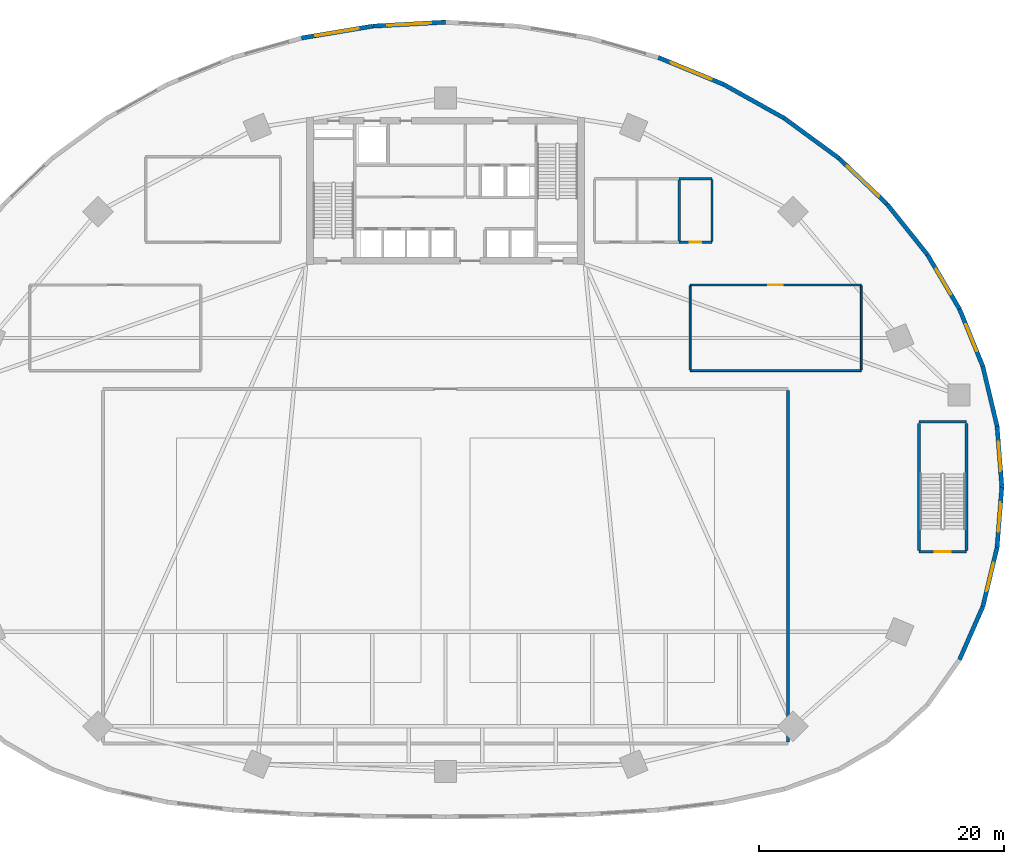
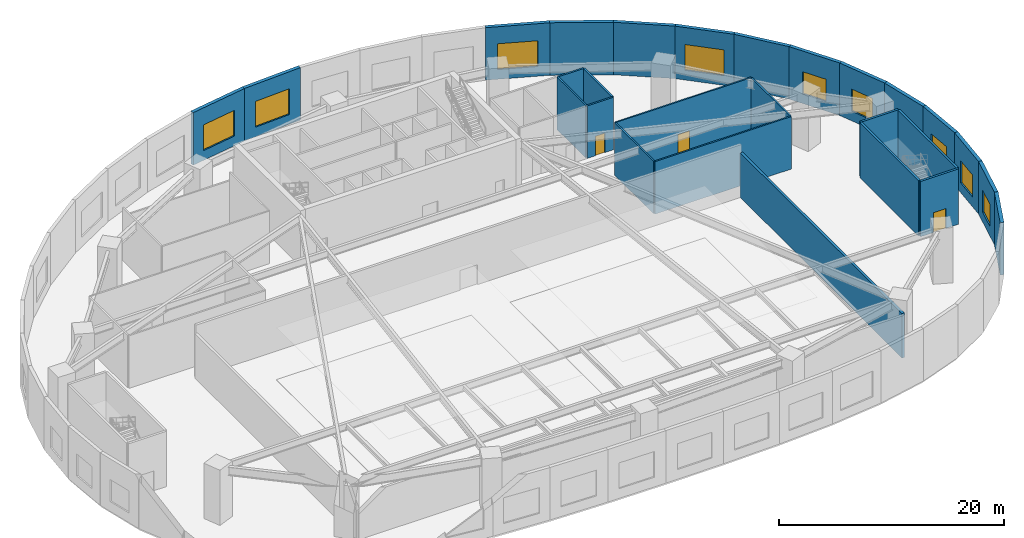
# One storey, part 5 of 10: 27 walls, 9 windows, 3 doors, 12 openings.
"""IFC4 building model written with IfcOpenShell, lengths in metres."""

from ifc_helpers import new_model, si_unit, direction, frame, frame_2d, origin, place, context, subcontext, project, spatial, rectangle, extrude, source, transform, mapped, material, layer, layer_set, type_object, type_shapes, element, fill, save


model = new_model("IFC4")

# Units and contexts
model_context = context("Model", 3, precision=1e-05, world=origin(), true_north=direction((0.0, 1.0)))
body_context = subcontext(model_context, "Body", "Model", "MODEL_VIEW")
ifc_project = project(units=[si_unit("LENGTHUNIT", "METRE"), si_unit("AREAUNIT", "SQUARE_METRE"), si_unit("VOLUMEUNIT", "CUBIC_METRE"), si_unit("PLANEANGLEUNIT", "RADIAN"), si_unit("MASSUNIT", "GRAM", prefix="KILO")], contexts=[model_context])

# Site, building, storey
site_placement = place(None, origin())
site = spatial("IfcSite", under=ifc_project, at=site_placement, CompositionType="ELEMENT")
building_placement = place(site_placement, origin())
building = spatial("IfcBuilding", under=site, at=building_placement, Name="Breltana Convention Tower", CompositionType="ELEMENT")
storey_placement = place(building_placement, frame((0.0, 0.0, 6.0)))
storey = spatial("IfcBuildingStorey", under=building, at=storey_placement, Name="L01", CompositionType="ELEMENT", Elevation=6.0)

# Wall, opening, window
ifc_material_1 = material(Name="Limestone Buff Insulated Wall", Category="masonry")
ifc_layer_1 = layer(ifc_material_1, 0.35009765625, Name="Limestone Buff Insulated Wall")
ifc_layer_set_1 = layer_set([ifc_layer_1], Name="Limestone Buff Insulated Wall")
wall_type_1 = type_object("IfcWallType", Name="WL-EXT-POD-350", PredefinedType="SOLIDWALL", material=ifc_layer_set_1)
shared_shape_1 = source(origin(), body_context, "Body", "SweptSolid", [
    extrude(rectangle(XDim=4.975341796875, YDim=0.35009765625, at=frame_2d((2.48779296875, 0.0))), origin(), (0.0, 0.0, 1.0), 5.699951171875),
])
type_shapes(wall_type_1, [shared_shape_1])
wall_1_placement = place(storey_placement, frame((93.5, 42.0, 0.0), z_axis=(0.0, 0.0, 1.0), x_axis=(-0.07826870534, 0.996932299489, 0.0)))
wall_1 = element("IfcWall", 1, at=wall_1_placement, inside=storey, type_object=wall_type_1, Name="L01 limestone facade wall 1", PredefinedType="SOLIDWALL", context=body_context, shape_type="MappedRepresentation", body=[
    mapped(shared_shape_1, transform((0.0, 0.0, 0.0), scale=1.0)),
])
opening_1_placement = place(wall_1_placement, frame((1.28759765625, 0.0, 1.050048828125)))
opening_1 = element("IfcOpeningElement", 2, at=opening_1_placement, cuts=wall_1, Name="Opening W-02", PredefinedType="OPENING", context=body_context, shape_type="SweptSolid", body=[
    extrude(rectangle(XDim=2.39990234375, YDim=2.39990234375, at=frame_2d((1.199951171875, 1.199951171875))), frame((0.0, 0.18505859375, 0.0), z_axis=(0.0, -1.0, 0.0), x_axis=(1.0, 0.0, 0.0)), (0.0, 0.0, 1.0), 0.3701171875),
])
ifc_material_2 = material(Name="Glass Low-E Insulated Window", Category="glass")
window_type_1 = type_object("IfcWindowType", Name="WN-POD-2400X2400", PartitioningType="DOUBLE_PANEL_VERTICAL", PredefinedType="WINDOW", material=ifc_material_2)
shared_shape_2 = source(origin(), body_context, "Body", "SweptSolid", [
    extrude(rectangle(XDim=2.39990234375, YDim=2.39990234375, at=frame_2d((1.199951171875, 1.199951171875))), frame((0.0, 0.030029296875, 0.0), z_axis=(0.0, -1.0, 0.0), x_axis=(1.0, 0.0, 0.0)), (0.0, 0.0, 1.0), 0.06005859375),
])
type_shapes(window_type_1, [shared_shape_2])
window_1_placement = place(opening_1_placement, origin())
window_1 = element("IfcWindow", 3, at=window_1_placement, inside=storey, type_object=window_type_1, Name="L01 tripartite window 1.1", OverallHeight=2.39990234375, OverallWidth=2.39990234375, PartitioningType="DOUBLE_PANEL_VERTICAL", PredefinedType="WINDOW", context=body_context, shape_type="MappedRepresentation", body=[
    mapped(shared_shape_2, transform((0.0, 0.0, 0.0), scale=1.0)),
])
fill(opening_1, window_1)

wall_2_placement = place(storey_placement, frame((93.110595703125, 37.0400390625, 0.0), z_axis=(0.0, 0.0, 1.0), x_axis=(0.07826870534, 0.996932299489, 0.0)))
wall_2 = element("IfcWall", 4, at=wall_2_placement, inside=storey, type_object=wall_type_1, Name="L01 limestone facade wall 48", PredefinedType="SOLIDWALL", context=body_context, shape_type="MappedRepresentation", body=[
    mapped(shared_shape_1, transform((0.0, 0.0, 0.0), scale=1.0)),
])
opening_2_placement = place(wall_2_placement, frame((1.28759765625, 0.0, 1.050048828125)))
opening_2 = element("IfcOpeningElement", 5, at=opening_2_placement, cuts=wall_2, Name="Opening W-02", PredefinedType="OPENING", context=body_context, shape_type="SweptSolid", body=[
    extrude(rectangle(XDim=2.39990234375, YDim=2.39990234375, at=frame_2d((1.199951171875, 1.199951171875))), frame((0.0, 0.18505859375, 0.0), z_axis=(0.0, -1.0, 0.0), x_axis=(1.0, 0.0, 0.0)), (0.0, 0.0, 1.0), 0.3701171875),
])
window_2_placement = place(opening_2_placement, origin())
window_2 = element("IfcWindow", 6, at=window_2_placement, inside=storey, type_object=window_type_1, Name="L01 tripartite window 48.1", OverallHeight=2.39990234375, OverallWidth=2.39990234375, PartitioningType="DOUBLE_PANEL_VERTICAL", PredefinedType="WINDOW", context=body_context, shape_type="MappedRepresentation", body=[
    mapped(shared_shape_2, transform((0.0, 0.0, 0.0), scale=1.0)),
])
fill(opening_2, window_2)

# Wall
shared_shape_3 = source(origin(), body_context, "Body", "SweptSolid", [
    extrude(rectangle(XDim=5.011474609375, YDim=0.35009765625, at=frame_2d((2.505859375, 0.0))), origin(), (0.0, 0.0, 1.0), 5.699951171875),
])
wall_3_placement = place(storey_placement, frame((93.110595703125, 46.9599609375, 0.0), z_axis=(0.0, 0.0, 1.0), x_axis=(-0.23164248061, 0.972800987446, 0.0)))
element("IfcWall", 7, at=wall_3_placement, inside=storey, type_object=wall_type_1, Name="L01 limestone facade wall 2", PredefinedType="SOLIDWALL", context=body_context, shape_type="MappedRepresentation", body=[
    mapped(shared_shape_3, transform((0.0, 0.0, 0.0), scale=1.0)),
])

# Wall, opening, window
shared_shape_4 = source(origin(), body_context, "Body", "SweptSolid", [
    extrude(rectangle(XDim=5.080810546875, YDim=0.35009765625, at=frame_2d((2.54052734375, 0.0))), origin(), (0.0, 0.0, 1.0), 5.699951171875),
])
wall_4_placement = place(storey_placement, frame((91.94970703125, 51.835205078125, 0.0), z_axis=(0.0, 0.0, 1.0), x_axis=(-0.376538155573, 0.926401110425, 0.0)))
wall_4 = element("IfcWall", 8, at=wall_4_placement, inside=storey, type_object=wall_type_1, Name="L01 limestone facade wall 3", PredefinedType="SOLIDWALL", context=body_context, shape_type="MappedRepresentation", body=[
    mapped(shared_shape_4, transform((0.0, 0.0, 0.0), scale=1.0)),
])
opening_3_placement = place(wall_4_placement, frame((1.34033203125, 0.0, 1.050048828125)))
opening_3 = element("IfcOpeningElement", 9, at=opening_3_placement, cuts=wall_4, Name="Opening W-02", PredefinedType="OPENING", context=body_context, shape_type="SweptSolid", body=[
    extrude(rectangle(XDim=2.39990234375, YDim=2.39990234375, at=frame_2d((1.199951171875, 1.199951171875))), frame((0.0, 0.18505859375, 0.0), z_axis=(0.0, -1.0, 0.0), x_axis=(1.0, 0.0, 0.0)), (0.0, 0.0, 1.0), 0.3701171875),
])
window_3_placement = place(opening_3_placement, origin())
window_3 = element("IfcWindow", 10, at=window_3_placement, inside=storey, type_object=window_type_1, Name="L01 tripartite window 3.1", OverallHeight=2.39990234375, OverallWidth=2.39990234375, PartitioningType="DOUBLE_PANEL_VERTICAL", PredefinedType="WINDOW", context=body_context, shape_type="MappedRepresentation", body=[
    mapped(shared_shape_2, transform((0.0, 0.0, 0.0), scale=1.0)),
])
fill(opening_3, window_3)

shared_shape_5 = source(origin(), body_context, "Body", "SweptSolid", [
    extrude(rectangle(XDim=5.17724609375, YDim=0.35009765625, at=frame_2d((2.588623046875, 0.0))), origin(), (0.0, 0.0, 1.0), 5.699951171875),
])
wall_5_placement = place(storey_placement, frame((90.03662109375, 56.5419921875, 0.0), z_axis=(0.0, 0.0, 1.0), x_axis=(-0.508449663637, 0.861091713784, 0.0)))
wall_5 = element("IfcWall", 11, at=wall_5_placement, inside=storey, type_object=wall_type_1, Name="L01 limestone facade wall 4", PredefinedType="SOLIDWALL", context=body_context, shape_type="MappedRepresentation", body=[
    mapped(shared_shape_5, transform((0.0, 0.0, 0.0), scale=1.0)),
])
opening_4_placement = place(wall_5_placement, frame((1.388671875, 0.0, 1.050048828125)))
opening_4 = element("IfcOpeningElement", 12, at=opening_4_placement, cuts=wall_5, Name="Opening W-02", PredefinedType="OPENING", context=body_context, shape_type="SweptSolid", body=[
    extrude(rectangle(XDim=2.39990234375, YDim=2.39990234375, at=frame_2d((1.199951171875, 1.199951171875))), frame((0.0, 0.18505859375, 0.0), z_axis=(0.0, -1.0, 0.0), x_axis=(1.0, 0.0, 0.0)), (0.0, 0.0, 1.0), 0.3701171875),
])
window_4_placement = place(opening_4_placement, origin())
window_4 = element("IfcWindow", 13, at=window_4_placement, inside=storey, type_object=window_type_1, Name="L01 tripartite window 4.1", OverallHeight=2.39990234375, OverallWidth=2.39990234375, PartitioningType="DOUBLE_PANEL_VERTICAL", PredefinedType="WINDOW", context=body_context, shape_type="MappedRepresentation", body=[
    mapped(shared_shape_2, transform((0.0, 0.0, 0.0), scale=1.0)),
])
fill(opening_4, window_4)

# Wall
shared_shape_6 = source(origin(), body_context, "Body", "SweptSolid", [
    extrude(rectangle(XDim=5.292724609375, YDim=0.35009765625, at=frame_2d((2.646484375, 0.0))), origin(), (0.0, 0.0, 1.0), 5.699951171875),
])
wall_6_placement = place(storey_placement, frame((87.404296875, 61.0, 0.0), z_axis=(0.0, 0.0, 1.0), x_axis=(-0.624740048177, 0.780832806818, 0.0)))
element("IfcWall", 14, at=wall_6_placement, inside=storey, type_object=wall_type_1, Name="L01 limestone facade wall 5", PredefinedType="SOLIDWALL", context=body_context, shape_type="MappedRepresentation", body=[
    mapped(shared_shape_6, transform((0.0, 0.0, 0.0), scale=1.0)),
])

# Wall, opening, window
shared_shape_7 = source(origin(), body_context, "Body", "SweptSolid", [
    extrude(rectangle(XDim=5.419189453125, YDim=0.35009765625, at=frame_2d((2.70947265625, 0.0))), origin(), (0.0, 0.0, 1.0), 5.699951171875),
])
wall_7_placement = place(storey_placement, frame((84.09765625, 65.1328125, 0.0), z_axis=(0.0, 0.0, 1.0), x_axis=(-0.724150787336, 0.689641673046, 0.0)))
wall_7 = element("IfcWall", 15, at=wall_7_placement, inside=storey, type_object=wall_type_1, Name="L01 limestone facade wall 6", PredefinedType="SOLIDWALL", context=body_context, shape_type="MappedRepresentation", body=[
    mapped(shared_shape_7, transform((0.0, 0.0, 0.0), scale=1.0)),
])
opening_5_placement = place(wall_7_placement, frame((0.909423828125, 0.0, 1.050048828125)))
opening_5 = element("IfcOpeningElement", 16, at=opening_5_placement, cuts=wall_7, Name="Opening W-01", PredefinedType="OPENING", context=body_context, shape_type="SweptSolid", body=[
    extrude(rectangle(XDim=3.60009765625, YDim=2.800048828125, at=frame_2d((1.800048828125, 1.39990234375))), frame((0.0, 0.18505859375, 0.0), z_axis=(0.0, -1.0, 0.0), x_axis=(1.0, 0.0, 0.0)), (0.0, 0.0, 1.0), 0.3701171875),
])
window_type_2 = type_object("IfcWindowType", Name="WN-POD-3600X2800", PartitioningType="TRIPLE_PANEL_VERTICAL", PredefinedType="WINDOW", material=ifc_material_2)
shared_shape_8 = source(origin(), body_context, "Body", "SweptSolid", [
    extrude(rectangle(XDim=3.60009765625, YDim=2.800048828125, at=frame_2d((1.800048828125, 1.39990234375))), frame((0.0, 0.030029296875, 0.0), z_axis=(0.0, -1.0, 0.0), x_axis=(1.0, 0.0, 0.0)), (0.0, 0.0, 1.0), 0.06005859375),
])
type_shapes(window_type_2, [shared_shape_8])
window_5_placement = place(opening_5_placement, origin())
window_5 = element("IfcWindow", 17, at=window_5_placement, inside=storey, type_object=window_type_2, Name="L01 tripartite window 6.1", OverallHeight=2.800048828125, OverallWidth=3.60009765625, PartitioningType="TRIPLE_PANEL_VERTICAL", PredefinedType="WINDOW", context=body_context, shape_type="MappedRepresentation", body=[
    mapped(shared_shape_8, transform((0.0, 0.0, 0.0), scale=1.0)),
])
fill(opening_5, window_5)

# Walls
shared_shape_9 = source(origin(), body_context, "Body", "SweptSolid", [
    extrude(rectangle(XDim=5.546630859375, YDim=0.35009765625, at=frame_2d((2.7734375, 0.0))), origin(), (0.0, 0.0, 1.0), 5.699951171875),
])
wall_8_placement = place(storey_placement, frame((80.17333984375, 68.8701171875, 0.0), z_axis=(0.0, 0.0, 1.0), x_axis=(-0.806767275837, 0.590869327887, 0.0)))
element("IfcWall", 18, at=wall_8_placement, inside=storey, type_object=wall_type_1, Name="L01 limestone facade wall 7", PredefinedType="SOLIDWALL", context=body_context, shape_type="MappedRepresentation", body=[
    mapped(shared_shape_9, transform((0.0, 0.0, 0.0), scale=1.0)),
])
shared_shape_10 = source(origin(), body_context, "Body", "SweptSolid", [
    extrude(rectangle(XDim=5.666748046875, YDim=0.35009765625, at=frame_2d((2.83349609375, 0.0))), origin(), (0.0, 0.0, 1.0), 5.699951171875),
])
wall_9_placement = place(storey_placement, frame((75.698486328125, 72.1474609375, 0.0), z_axis=(0.0, 0.0, 1.0), x_axis=(-0.873233089296, 0.487302751642, 0.0)))
element("IfcWall", 19, at=wall_9_placement, inside=storey, type_object=wall_type_1, Name="L01 limestone facade wall 8", PredefinedType="SOLIDWALL", context=body_context, shape_type="MappedRepresentation", body=[
    mapped(shared_shape_10, transform((0.0, 0.0, 0.0), scale=1.0)),
])

# Wall, opening, window
shared_shape_11 = source(origin(), body_context, "Body", "SweptSolid", [
    extrude(rectangle(XDim=5.77294921875, YDim=0.35009765625, at=frame_2d((2.886474609375, 0.0))), origin(), (0.0, 0.0, 1.0), 5.699951171875),
])
wall_10_placement = place(storey_placement, frame((70.75, 74.908935546875, 0.0), z_axis=(0.0, 0.0, 1.0), x_axis=(-0.924645688874, 0.380828504771, 0.0)))
wall_10 = element("IfcWall", 20, at=wall_10_placement, inside=storey, type_object=wall_type_1, Name="L01 limestone facade wall 9", PredefinedType="SOLIDWALL", context=body_context, shape_type="MappedRepresentation", body=[
    mapped(shared_shape_11, transform((0.0, 0.0, 0.0), scale=1.0)),
])
opening_6_placement = place(wall_10_placement, frame((1.08642578125, 0.0, 1.050048828125)))
opening_6 = element("IfcOpeningElement", 21, at=opening_6_placement, cuts=wall_10, Name="Opening W-01", PredefinedType="OPENING", context=body_context, shape_type="SweptSolid", body=[
    extrude(rectangle(XDim=3.60009765625, YDim=2.800048828125, at=frame_2d((1.800048828125, 1.39990234375))), frame((0.0, 0.18505859375, 0.0), z_axis=(0.0, -1.0, 0.0), x_axis=(1.0, 0.0, 0.0)), (0.0, 0.0, 1.0), 0.3701171875),
])
window_6_placement = place(opening_6_placement, origin())
window_6 = element("IfcWindow", 22, at=window_6_placement, inside=storey, type_object=window_type_2, Name="L01 tripartite window 9.1", OverallHeight=2.800048828125, OverallWidth=3.60009765625, PartitioningType="TRIPLE_PANEL_VERTICAL", PredefinedType="WINDOW", context=body_context, shape_type="MappedRepresentation", body=[
    mapped(shared_shape_8, transform((0.0, 0.0, 0.0), scale=1.0)),
])
fill(opening_6, window_6)

shared_shape_12 = source(origin(), body_context, "Body", "SweptSolid", [
    extrude(rectangle(XDim=5.91748046875, YDim=0.35009765625, at=frame_2d((2.958740234375, 0.0))), origin(), (0.0, 0.0, 1.0), 5.699951171875),
])
wall_11_placement = place(storey_placement, frame((42.06103515625, 79.6748046875, 0.0), z_axis=(0.0, 0.0, 1.0), x_axis=(-0.986480762285, -0.163877105303, 0.0)))
wall_11 = element("IfcWall", 23, at=wall_11_placement, inside=storey, type_object=wall_type_1, Name="L01 limestone facade wall 14", PredefinedType="SOLIDWALL", context=body_context, shape_type="MappedRepresentation", body=[
    mapped(shared_shape_12, transform((0.0, 0.0, 0.0), scale=1.0)),
])
opening_7_placement = place(wall_11_placement, frame((1.15869140625, 0.0, 1.050048828125)))
opening_7 = element("IfcOpeningElement", 24, at=opening_7_placement, cuts=wall_11, Name="Opening W-01", PredefinedType="OPENING", context=body_context, shape_type="SweptSolid", body=[
    extrude(rectangle(XDim=3.60009765625, YDim=2.800048828125, at=frame_2d((1.800048828125, 1.39990234375))), frame((0.0, 0.18505859375, 0.0), z_axis=(0.0, -1.0, 0.0), x_axis=(1.0, 0.0, 0.0)), (0.0, 0.0, 1.0), 0.3701171875),
])
window_7_placement = place(opening_7_placement, origin())
window_7 = element("IfcWindow", 25, at=window_7_placement, inside=storey, type_object=window_type_2, Name="L01 tripartite window 14.1", OverallHeight=2.800048828125, OverallWidth=3.60009765625, PartitioningType="TRIPLE_PANEL_VERTICAL", PredefinedType="WINDOW", context=body_context, shape_type="MappedRepresentation", body=[
    mapped(shared_shape_8, transform((0.0, 0.0, 0.0), scale=1.0)),
])
fill(opening_7, window_7)

shared_shape_13 = source(origin(), body_context, "Body", "SweptSolid", [
    extrude(rectangle(XDim=5.94775390625, YDim=0.35009765625, at=frame_2d((2.973876953125, 0.0))), origin(), (0.0, 0.0, 1.0), 5.699951171875),
])
wall_12_placement = place(storey_placement, frame((48.0, 80.0, 0.0), z_axis=(0.0, 0.0, 1.0), x_axis=(-0.998504240403, -0.054674325751, 0.0)))
wall_12 = element("IfcWall", 26, at=wall_12_placement, inside=storey, type_object=wall_type_1, Name="L01 limestone facade wall 13", PredefinedType="SOLIDWALL", context=body_context, shape_type="MappedRepresentation", body=[
    mapped(shared_shape_13, transform((0.0, 0.0, 0.0), scale=1.0)),
])
opening_8_placement = place(wall_12_placement, frame((1.173828125, 0.0, 1.050048828125)))
opening_8 = element("IfcOpeningElement", 27, at=opening_8_placement, cuts=wall_12, Name="Opening W-01", PredefinedType="OPENING", context=body_context, shape_type="SweptSolid", body=[
    extrude(rectangle(XDim=3.60009765625, YDim=2.800048828125, at=frame_2d((1.800048828125, 1.39990234375))), frame((0.0, 0.18505859375, 0.0), z_axis=(0.0, -1.0, 0.0), x_axis=(1.0, 0.0, 0.0)), (0.0, 0.0, 1.0), 0.3701171875),
])
window_8_placement = place(opening_8_placement, origin())
window_8 = element("IfcWindow", 28, at=window_8_placement, inside=storey, type_object=window_type_2, Name="L01 tripartite window 13.1", OverallHeight=2.800048828125, OverallWidth=3.60009765625, PartitioningType="TRIPLE_PANEL_VERTICAL", PredefinedType="WINDOW", context=body_context, shape_type="MappedRepresentation", body=[
    mapped(shared_shape_8, transform((0.0, 0.0, 0.0), scale=1.0)),
])
fill(opening_8, window_8)

shared_shape_14 = source(origin(), body_context, "Body", "SweptSolid", [
    extrude(rectangle(XDim=4.968994140625, YDim=0.35009765625, at=frame_2d((2.484375, 0.0))), origin(), (0.0, 0.0, 1.0), 5.699951171875),
])
wall_13_placement = place(storey_placement, frame((91.94970703125, 32.20849609375, 0.0), z_axis=(0.0, 0.0, 1.0), x_axis=(0.233623809029, 0.972327062184, 0.0)))
wall_13 = element("IfcWall", 29, at=wall_13_placement, inside=storey, type_object=wall_type_1, Name="L01 limestone facade wall 47", PredefinedType="SOLIDWALL", context=body_context, shape_type="MappedRepresentation", body=[
    mapped(shared_shape_14, transform((0.0, 0.0, 0.0), scale=1.0)),
])
opening_9_placement = place(wall_13_placement, frame((1.284423828125, 0.0, 1.050048828125)))
opening_9 = element("IfcOpeningElement", 30, at=opening_9_placement, cuts=wall_13, Name="Opening W-02", PredefinedType="OPENING", context=body_context, shape_type="SweptSolid", body=[
    extrude(rectangle(XDim=2.39990234375, YDim=2.39990234375, at=frame_2d((1.199951171875, 1.199951171875))), frame((0.0, 0.18505859375, 0.0), z_axis=(0.0, -1.0, 0.0), x_axis=(1.0, 0.0, 0.0)), (0.0, 0.0, 1.0), 0.3701171875),
])
window_9_placement = place(opening_9_placement, origin())
window_9 = element("IfcWindow", 31, at=window_9_placement, inside=storey, type_object=window_type_1, Name="L01 tripartite window 47.1", OverallHeight=2.39990234375, OverallWidth=2.39990234375, PartitioningType="DOUBLE_PANEL_VERTICAL", PredefinedType="WINDOW", context=body_context, shape_type="MappedRepresentation", body=[
    mapped(shared_shape_2, transform((0.0, 0.0, 0.0), scale=1.0)),
])
fill(opening_9, window_9)

# Wall
shared_shape_15 = source(origin(), body_context, "Body", "SweptSolid", [
    extrude(rectangle(XDim=4.756103515625, YDim=0.35009765625, at=frame_2d((2.3779296875, 0.0))), origin(), (0.0, 0.0, 1.0), 5.699951171875),
])
wall_14_placement = place(storey_placement, frame((90.03662109375, 27.854248046875, 0.0), z_axis=(0.0, 0.0, 1.0), x_axis=(0.402248274654, 0.915530625123, 0.0)))
element("IfcWall", 32, at=wall_14_placement, inside=storey, type_object=wall_type_1, Name="L01 limestone facade wall 46", PredefinedType="SOLIDWALL", context=body_context, shape_type="MappedRepresentation", body=[
    mapped(shared_shape_15, transform((0.0, 0.0, 0.0), scale=1.0)),
])

# Wall, opening, door
ifc_material_3 = material(Name="Concrete C40/50", Category="concrete")
ifc_layer_2 = layer(ifc_material_3, 0.219970703125, Name="Concrete C40/50")
ifc_layer_set_2 = layer_set([ifc_layer_2], Name="Concrete C40/50")
wall_type_2 = type_object("IfcWallType", Name="WL-SHAFT-220", PredefinedType="SOLIDWALL", material=ifc_layer_set_2)
shared_shape_16 = source(origin(), body_context, "Body", "SweptSolid", [
    extrude(rectangle(XDim=3.89013671875, YDim=0.219970703125, at=frame_2d((1.945068359375, 0.0))), origin(), (0.0, 0.0, 1.0), 6.0),
])
wall_15_placement = place(storey_placement, frame((86.719970703125, 36.68994140625, 0.0), z_axis=(0.0, 0.0, 1.0), x_axis=(1.0, 0.0, 0.0)))
wall_15 = element("IfcWall", 33, at=wall_15_placement, inside=storey, type_object=wall_type_2, Name="L01 interior partition W-L01-ST4-S", PredefinedType="SOLIDWALL", context=body_context, shape_type="MappedRepresentation", body=[
    mapped(shared_shape_16, transform((0.0, 0.0, 0.0), scale=1.0)),
])
opening_10_placement = place(wall_15_placement, frame((1.294921875, 0.0, 0.0)))
opening_10 = element("IfcOpeningElement", 34, at=opening_10_placement, cuts=wall_15, Name="Opening D-08", PredefinedType="OPENING", context=body_context, shape_type="SweptSolid", body=[
    extrude(rectangle(XDim=1.300048828125, YDim=2.14990234375, at=frame_2d((0.64990234375, 1.074951171875))), frame((0.0, 0.1201171875, 0.0), z_axis=(0.0, -1.0, 0.0), x_axis=(1.0, 0.0, 0.0)), (0.0, 0.0, 1.0), 0.239990234375),
])
ifc_material_4 = material(Name="Steel Fire Exit Door", Category="steel")
door_type_1 = type_object("IfcDoorType", Name="DR-FD120-1300", OperationType="NOTDEFINED", PredefinedType="DOOR", material=ifc_material_4)
shared_shape_17 = source(origin(), body_context, "Body", "SweptSolid", [
    extrude(rectangle(XDim=1.300048828125, YDim=2.14990234375, at=frame_2d((0.64990234375, 1.074951171875))), frame((0.0, 0.02490234375, 0.0), z_axis=(0.0, -1.0, 0.0), x_axis=(1.0, 0.0, 0.0)), (0.0, 0.0, 1.0), 0.050048828125),
])
type_shapes(door_type_1, [shared_shape_17])
door_1_placement = place(opening_10_placement, origin())
door_1 = element("IfcDoor", 35, at=door_1_placement, inside=storey, type_object=door_type_1, Name="L01 interior door D-L01-ST4", OperationType="SINGLE_SWING_LEFT", OverallHeight=2.14990234375, OverallWidth=1.300048828125, PredefinedType="DOOR", context=body_context, shape_type="MappedRepresentation", body=[
    mapped(shared_shape_17, transform((0.0, 0.0, 0.0), scale=1.0)),
])
fill(opening_10, door_1)

# Walls
wall_16_placement = place(storey_placement, frame((86.719970703125, 47.31005859375, 0.0), z_axis=(0.0, 0.0, 1.0), x_axis=(1.0, 0.0, 0.0)))
element("IfcWall", 36, at=wall_16_placement, inside=storey, type_object=wall_type_2, Name="L01 interior partition W-L01-ST4-N", PredefinedType="SOLIDWALL", context=body_context, shape_type="MappedRepresentation", body=[
    mapped(shared_shape_16, transform((0.0, 0.0, 0.0), scale=1.0)),
])
shared_shape_18 = source(origin(), body_context, "Body", "SweptSolid", [
    extrude(rectangle(XDim=10.3798828125, YDim=0.219970703125, at=frame_2d((5.18994140625, 0.0))), origin(), (0.0, 0.0, 1.0), 6.0),
])
for number, where, z_axis, x_axis, name in (
    (37, (86.719970703125, 36.81005859375, 0.0), (0.0, 0.0, 1.0), (0.0, 1.0, 0.0), "L01 interior partition W-L01-ST4-W"),
    (38, (90.610107421875, 36.81005859375, 0.0), (0.0, 0.0, 1.0), (0.0, 1.0, 0.0), "L01 interior partition W-L01-ST4-E"),
):
    element("IfcWall", number, at=place(storey_placement, frame(where, z_axis=z_axis, x_axis=x_axis)), inside=storey, type_object=wall_type_2, Name=name, PredefinedType="SOLIDWALL", context=body_context, shape_type="MappedRepresentation", body=[
        mapped(shared_shape_18, transform((0.0, 0.0, 0.0), scale=1.0)),
    ])
ifc_material_5 = material(Name="Cement Board Wet-Area Partition")
ifc_layer_3 = layer(ifc_material_5, 0.175048828125, Name="Cement Board Wet-Area Partition")
ifc_layer_set_3 = layer_set([ifc_layer_3], Name="Cement Board Wet-Area Partition")
wall_type_3 = type_object("IfcWallType", Name="WL-WET-175", PredefinedType="PARTITIONING", material=ifc_layer_set_3)
shared_shape_19 = source(origin(), body_context, "Body", "SweptSolid", [
    extrude(rectangle(XDim=5.042724609375, YDim=0.175048828125, at=frame_2d((2.521484375, 0.0))), origin(), (0.0, 0.0, 1.0), 5.699951171875),
])
for number, where, z_axis, x_axis, name in (
    (39, (67.112060546875, 62.07861328125, 0.0), (0.0, 0.0, 1.0), (0.0, 1.0, 0.0), "L01 interior partition W-L01-WCF-E"),
    (40, (69.800048828125, 62.07861328125, 0.0), (0.0, 0.0, 1.0), (0.0, 1.0, 0.0), "L01 interior partition W-L01-WCA-E"),
):
    element("IfcWall", number, at=place(storey_placement, frame(where, z_axis=z_axis, x_axis=x_axis)), inside=storey, type_object=wall_type_3, Name=name, PredefinedType="PARTITIONING", context=body_context, shape_type="MappedRepresentation", body=[
        mapped(shared_shape_19, transform((0.0, 0.0, 0.0), scale=1.0)),
    ])

# Wall, opening, door
shared_shape_20 = source(origin(), body_context, "Body", "SweptSolid", [
    extrude(rectangle(XDim=2.68798828125, YDim=0.175048828125, at=frame_2d((1.343994140625, 0.0))), origin(), (0.0, 0.0, 1.0), 5.699951171875),
])
wall_17_placement = place(storey_placement, frame((67.112060546875, 62.0, 0.0), z_axis=(0.0, 0.0, 1.0), x_axis=(1.0, 0.0, 0.0)))
wall_17 = element("IfcWall", 41, at=wall_17_placement, inside=storey, type_object=wall_type_3, Name="L01 interior partition W-L01-WCA-S", PredefinedType="PARTITIONING", context=body_context, shape_type="MappedRepresentation", body=[
    mapped(shared_shape_20, transform((0.0, 0.0, 0.0), scale=1.0)),
])
opening_11_placement = place(wall_17_placement, frame((0.868896484375, 0.0, 0.0)))
opening_11 = element("IfcOpeningElement", 42, at=opening_11_placement, cuts=wall_17, Name="Opening D-16", PredefinedType="OPENING", context=body_context, shape_type="SweptSolid", body=[
    extrude(rectangle(XDim=0.949951171875, YDim=2.1201171875, at=frame_2d((0.47509765625, 1.06005859375))), frame((0.0, 0.09765625, 0.0), z_axis=(0.0, -1.0, 0.0), x_axis=(1.0, 0.0, 0.0)), (0.0, 0.0, 1.0), 0.195068359375),
])
ifc_material_6 = material(Name="Timber Laminate Accessible Door", Category="wood")
door_type_2 = type_object("IfcDoorType", Name="DR-ACC-950", OperationType="NOTDEFINED", PredefinedType="DOOR", material=ifc_material_6)
shared_shape_21 = source(origin(), body_context, "Body", "SweptSolid", [
    extrude(rectangle(XDim=0.949951171875, YDim=2.1201171875, at=frame_2d((0.47509765625, 1.06005859375))), frame((0.0, 0.02490234375, 0.0), z_axis=(0.0, -1.0, 0.0), x_axis=(1.0, 0.0, 0.0)), (0.0, 0.0, 1.0), 0.050048828125),
])
type_shapes(door_type_2, [shared_shape_21])
door_2_placement = place(opening_11_placement, origin())
door_2 = element("IfcDoor", 43, at=door_2_placement, inside=storey, type_object=door_type_2, Name="L01 interior door D-L01-WCA", OperationType="SINGLE_SWING_LEFT", OverallHeight=2.1201171875, OverallWidth=0.949951171875, PredefinedType="DOOR", context=body_context, shape_type="MappedRepresentation", body=[
    mapped(shared_shape_21, transform((0.0, 0.0, 0.0), scale=1.0)),
])
fill(opening_11, door_2)

# Walls
ifc_material_7 = material(Name="Moisture-Resistant Gypsum Chase Wall")
ifc_layer_4 = layer(ifc_material_7, 0.179931640625, Name="Moisture-Resistant Gypsum Chase Wall")
ifc_layer_set_4 = layer_set([ifc_layer_4], Name="Moisture-Resistant Gypsum Chase Wall")
wall_type_4 = type_object("IfcWallType", Name="WL-PLUMB-180", PredefinedType="PLUMBINGWALL", material=ifc_layer_set_4)
shared_shape_22 = source(origin(), body_context, "Body", "SweptSolid", [
    extrude(rectangle(XDim=2.68798828125, YDim=0.179931640625, at=frame_2d((1.343994140625, 0.0))), origin(), (0.0, 0.0, 1.0), 5.699951171875),
])
wall_18_placement = place(storey_placement, frame((67.112060546875, 67.199951171875, 0.0), z_axis=(0.0, 0.0, 1.0), x_axis=(1.0, 0.0, 0.0)))
element("IfcWall", 44, at=wall_18_placement, inside=storey, type_object=wall_type_4, Name="L01 interior partition W-L01-WCA-N", PredefinedType="PLUMBINGWALL", context=body_context, shape_type="MappedRepresentation", body=[
    mapped(shared_shape_22, transform((0.0, 0.0, 0.0), scale=1.0)),
])
ifc_material_8 = material(Name="Gypsum Acoustic Double Stud Wall")
ifc_layer_5 = layer(ifc_material_8, 0.25, Name="Gypsum Acoustic Double Stud Wall")
ifc_layer_set_5 = layer_set([ifc_layer_5], Name="Gypsum Acoustic Double Stud Wall")
wall_type_5 = type_object("IfcWallType", Name="WL-ACOUSTIC-250", PredefinedType="PARTITIONING", material=ifc_layer_set_5)
shared_shape_23 = source(origin(), body_context, "Body", "SweptSolid", [
    extrude(rectangle(XDim=28.77490234375, YDim=0.25, at=frame_2d((14.387451171875, 0.0))), origin(), (0.0, 0.0, 1.0), 4.833984375),
])
wall_19_placement = place(storey_placement, frame((76.0, 21.112548828125, 0.0), z_axis=(0.0, 0.0, 1.0), x_axis=(0.0, 1.0, 0.0)))
element("IfcWall", 45, at=wall_19_placement, inside=storey, type_object=wall_type_5, Name="L01 interior partition W-L01-CNV-E", PredefinedType="PARTITIONING", context=body_context, shape_type="MappedRepresentation", body=[
    mapped(shared_shape_23, transform((0.0, 0.0, 0.0), scale=1.0)),
])
ifc_material_9 = material(Name="Aluminium Anodised Acoustic Operable Panel", Category="aluminium")
ifc_layer_6 = layer(ifc_material_9, 0.159912109375, Name="Aluminium Anodised Acoustic Operable Panel")
ifc_layer_set_6 = layer_set([ifc_layer_6], Name="Aluminium Anodised Acoustic Operable Panel")
wall_type_6 = type_object("IfcWallType", Name="WL-MOVABLE-160", PredefinedType="MOVABLE", material=ifc_layer_set_6)
shared_shape_24 = source(origin(), body_context, "Body", "SweptSolid", [
    extrude(rectangle(XDim=14.0, YDim=0.159912109375, at=frame_2d((7.0, 0.0))), origin(), (0.0, 0.0, 1.0), 5.699951171875),
])
type_shapes(wall_type_6, [shared_shape_24])
wall_20_placement = place(storey_placement, frame((68.0, 51.5, 0.0), z_axis=(0.0, 0.0, 1.0), x_axis=(1.0, 0.0, 0.0)))
element("IfcWall", 46, at=wall_20_placement, inside=storey, type_object=wall_type_6, Name="L01 interior partition W-L01-BRK2-S", PredefinedType="MOVABLE", context=body_context, shape_type="MappedRepresentation", body=[
    mapped(shared_shape_24, transform((0.0, 0.0, 0.0), scale=1.0)),
])

# Wall, opening, door
ifc_material_10 = material(Name="Gypsum Acoustic Drywall Partition")
ifc_layer_7 = layer(ifc_material_10, 0.14990234375, Name="Gypsum Acoustic Drywall Partition")
ifc_layer_set_7 = layer_set([ifc_layer_7], Name="Gypsum Acoustic Drywall Partition")
wall_type_7 = type_object("IfcWallType", Name="WL-PART-150", PredefinedType="PARTITIONING", material=ifc_layer_set_7)
shared_shape_25 = source(origin(), body_context, "Body", "SweptSolid", [
    extrude(rectangle(XDim=14.0, YDim=0.14990234375, at=frame_2d((7.0, 0.0))), origin(), (0.0, 0.0, 1.0), 5.699951171875),
])
wall_21_placement = place(storey_placement, frame((68.0, 58.5, 0.0), z_axis=(0.0, 0.0, 1.0), x_axis=(1.0, 0.0, 0.0)))
wall_21 = element("IfcWall", 47, at=wall_21_placement, inside=storey, type_object=wall_type_7, Name="L01 interior partition W-L01-BRK2-N", PredefinedType="PARTITIONING", context=body_context, shape_type="MappedRepresentation", body=[
    mapped(shared_shape_25, transform((0.0, 0.0, 0.0), scale=1.0)),
])
opening_12_placement = place(wall_21_placement, frame((6.39990234375, 0.0, 0.0)))
opening_12 = element("IfcOpeningElement", 48, at=opening_12_placement, cuts=wall_21, Name="Opening D-10", PredefinedType="OPENING", context=body_context, shape_type="SweptSolid", body=[
    extrude(rectangle(XDim=1.199951171875, YDim=2.14990234375, at=frame_2d((0.60009765625, 1.074951171875))), frame((0.0, 0.0849609375, 0.0), z_axis=(0.0, -1.0, 0.0), x_axis=(1.0, 0.0, 0.0)), (0.0, 0.0, 1.0), 0.169921875),
])
ifc_material_11 = material(Name="Timber Oak Veneer Fire Door", Category="wood")
door_type_3 = type_object("IfcDoorType", Name="DR-INT-1200", OperationType="NOTDEFINED", PredefinedType="DOOR", material=ifc_material_11)
shared_shape_26 = source(origin(), body_context, "Body", "SweptSolid", [
    extrude(rectangle(XDim=1.199951171875, YDim=2.14990234375, at=frame_2d((0.60009765625, 1.074951171875))), frame((0.0, 0.02490234375, 0.0), z_axis=(0.0, -1.0, 0.0), x_axis=(1.0, 0.0, 0.0)), (0.0, 0.0, 1.0), 0.050048828125),
])
type_shapes(door_type_3, [shared_shape_26])
door_3_placement = place(opening_12_placement, origin())
door_3 = element("IfcDoor", 49, at=door_3_placement, inside=storey, type_object=door_type_3, Name="L01 interior door D-L01-BRK2", OperationType="SINGLE_SWING_RIGHT", OverallHeight=2.14990234375, OverallWidth=1.199951171875, PredefinedType="DOOR", context=body_context, shape_type="MappedRepresentation", body=[
    mapped(shared_shape_26, transform((0.0, 0.0, 0.0), scale=1.0)),
])
fill(opening_12, door_3)

# Walls
shared_shape_27 = source(origin(), body_context, "Body", "SweptSolid", [
    extrude(rectangle(XDim=6.865234375, YDim=0.159912109375, at=frame_2d((3.4326171875, 0.0))), origin(), (0.0, 0.0, 1.0), 5.699951171875),
])
for number, where, z_axis, x_axis, name in (
    (50, (68.0, 51.5673828125, 0.0), (0.0, 0.0, 1.0), (0.0, 1.0, 0.0), "L01 interior partition W-L01-BRK2-W"),
    (51, (82.0, 51.5673828125, 0.0), (0.0, 0.0, 1.0), (0.0, 1.0, 0.0), "L01 interior partition W-L01-BRK2-E"),
):
    element("IfcWall", number, at=place(storey_placement, frame(where, z_axis=z_axis, x_axis=x_axis)), inside=storey, type_object=wall_type_6, Name=name, PredefinedType="MOVABLE", context=body_context, shape_type="MappedRepresentation", body=[
        mapped(shared_shape_27, transform((0.0, 0.0, 0.0), scale=1.0)),
    ])

save(model, "model.ifc")
